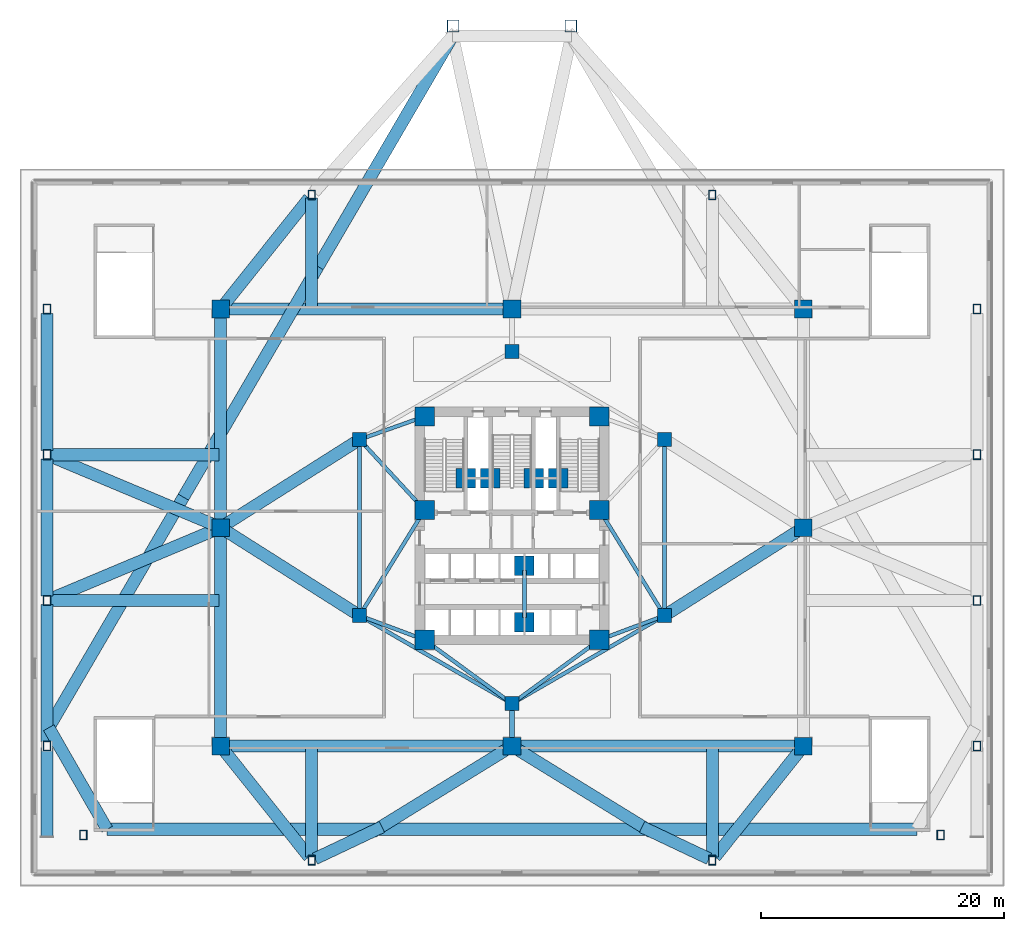
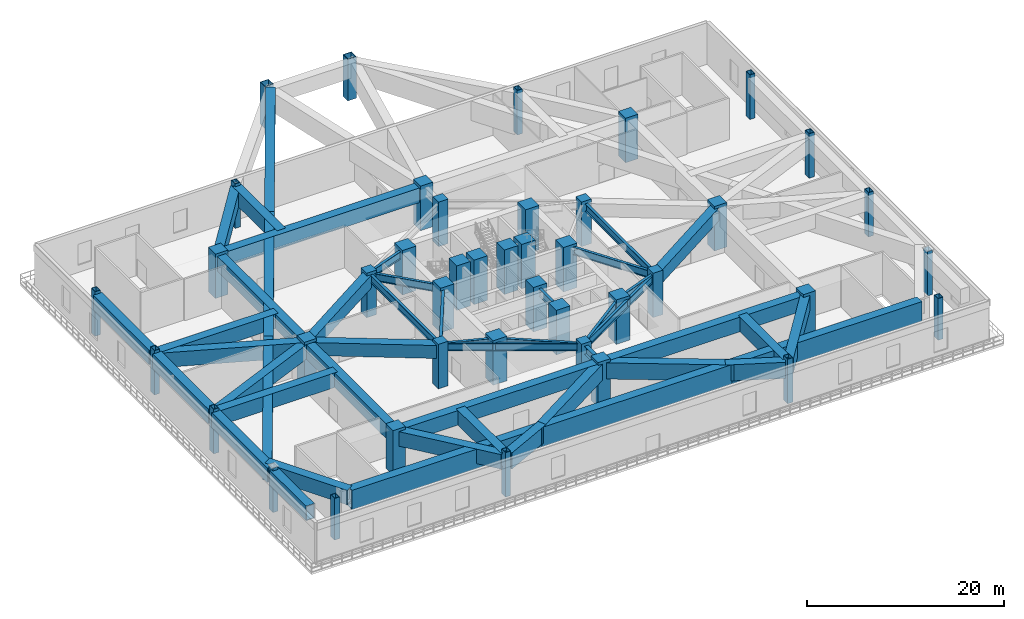
# One storey, part 1 of 15: 47 beams, 42 columns.
"""IFC4 building model written with IfcOpenShell, lengths in metres."""

from ifc_helpers import new_model, si_unit, direction, frame, origin, origin_2d, place, context, subcontext, project, spatial, rectangle, hollow_rectangle, i_section, extrude, material, material_profile, profile_set, type_object, element, save


model = new_model("IFC4")

# Units and contexts
model_context = context("Model", 3, precision=1e-05, world=origin(), true_north=direction((0.0, 1.0)))
body_context = subcontext(model_context, "Body", "Model", "MODEL_VIEW")
ifc_project = project(units=[si_unit("LENGTHUNIT", "METRE"), si_unit("AREAUNIT", "SQUARE_METRE"), si_unit("VOLUMEUNIT", "CUBIC_METRE"), si_unit("PLANEANGLEUNIT", "RADIAN"), si_unit("MASSUNIT", "GRAM", prefix="KILO")], contexts=[model_context])

# Site, building, storey
site_placement = place(None, origin())
site = spatial("IfcSite", under=ifc_project, at=site_placement, CompositionType="ELEMENT")
building_placement = place(site_placement, origin())
building = spatial("IfcBuilding", under=site, at=building_placement, Name="Apsidion Concourse Tower", CompositionType="ELEMENT")
storey_placement = place(building_placement, frame((0.0, 0.0, 23.5)))
storey = spatial("IfcBuildingStorey", under=building, at=storey_placement, Name="L04", CompositionType="ELEMENT", Elevation=23.5)

# Columns
ifc_material_1 = material(Name="Structural steel ASTM A572 Grade 50", Category="steel")
ifc_material_profile_1 = material_profile(ifc_material_1, hollow_rectangle(XDim=1.0, YDim=1.0, WallThickness=0.06005859375, at=origin_2d()), Name="BOX1000X1000X60")
ifc_profile_set_1 = profile_set([ifc_material_profile_1], Name="Structural steel ASTM A572 Grade 50")
column_type_1 = type_object("IfcColumnType", Name="COL-BOX-1000", PredefinedType="COLUMN", material=ifc_profile_set_1)
for number, where, z_axis, x_axis, name in (
    (1, (-4.845703125, 41.306884765625, 0.0), (0.0, 0.0, 1.0), (1.0, 0.0, 0.0), "L04 North Forecourt Prow Colonnade Column PRW-W"),
    (2, (4.845703125, 41.306884765625, 0.0), (0.0, 0.0, 1.0), (1.0, 0.0, 0.0), "L04 North Forecourt Prow Colonnade Column PRW-E"),
):
    element("IfcColumn", number, at=place(storey_placement, frame(where, z_axis=z_axis, x_axis=x_axis)), inside=storey, type_object=column_type_1, Name=name, PredefinedType="COLUMN", context=body_context, shape_type="SweptSolid", body=[
        extrude(hollow_rectangle(XDim=1.0, YDim=1.0, WallThickness=0.06005859375, at=origin_2d()), origin(), (0.0, 0.0, 1.0), 5.14990234375),
    ])
ifc_material_profile_2 = material_profile(ifc_material_1, hollow_rectangle(XDim=0.60009765625, YDim=0.800048828125, WallThickness=0.050048828125, at=origin_2d()), Name="BOX800X600X50")
ifc_profile_set_2 = profile_set([ifc_material_profile_2], Name="Structural steel ASTM A572 Grade 50")
column_type_2 = type_object("IfcColumnType", Name="COL-BOX-800", PredefinedType="COLUMN", material=ifc_profile_set_2)
for number, where, z_axis, x_axis, name in (
    (3, (-38.300048828125, -18.0, 0.0), (0.0, 0.0, 1.0), (1.0, 0.0, 0.0), "L04 Podium Perimeter Column PC01"),
    (4, (-38.300048828125, -6.0, 0.0), (0.0, 0.0, 1.0), (1.0, 0.0, 0.0), "L04 Podium Perimeter Column PC02"),
    (5, (-38.300048828125, 6.0, 0.0), (0.0, 0.0, 1.0), (1.0, 0.0, 0.0), "L04 Podium Perimeter Column PC03"),
    (6, (-38.300048828125, 18.0, 0.0), (0.0, 0.0, 1.0), (1.0, 0.0, 0.0), "L04 Podium Perimeter Column PC04"),
    (7, (38.300048828125, -18.0, 0.0), (0.0, 0.0, 1.0), (1.0, 0.0, 0.0), "L04 Podium Perimeter Column PC05"),
    (8, (38.300048828125, -6.0, 0.0), (0.0, 0.0, 1.0), (1.0, 0.0, 0.0), "L04 Podium Perimeter Column PC06"),
    (9, (38.300048828125, 6.0, 0.0), (0.0, 0.0, 1.0), (1.0, 0.0, 0.0), "L04 Podium Perimeter Column PC07"),
    (10, (38.300048828125, 18.0, 0.0), (0.0, 0.0, 1.0), (1.0, 0.0, 0.0), "L04 Podium Perimeter Column PC08"),
    (11, (-16.5, -27.39990234375, 0.0), (0.0, 0.0, 1.0), (1.0, 0.0, 0.0), "L04 Podium Perimeter Column PC09"),
    (12, (16.5, -27.39990234375, 0.0), (0.0, 0.0, 1.0), (1.0, 0.0, 0.0), "L04 Podium Perimeter Column PC10"),
    (13, (-16.5, 27.39990234375, 0.0), (0.0, 0.0, 1.0), (1.0, 0.0, 0.0), "L04 Podium Perimeter Column PC11"),
    (14, (16.5, 27.39990234375, 0.0), (0.0, 0.0, 1.0), (1.0, 0.0, 0.0), "L04 Podium Perimeter Column PC12"),
):
    element("IfcColumn", number, at=place(storey_placement, frame(where, z_axis=z_axis, x_axis=x_axis)), inside=storey, type_object=column_type_2, Name=name, PredefinedType="COLUMN", context=body_context, shape_type="SweptSolid", body=[
        extrude(hollow_rectangle(XDim=0.60009765625, YDim=0.800048828125, WallThickness=0.050048828125, at=origin_2d()), origin(), (0.0, 0.0, 1.0), 5.5),
    ])
for number, where, z_axis, x_axis, name in (
    (15, (-35.300048828125, -25.320068359375, 0.0), (0.0, 0.0, 1.0), (1.0, 0.0, 0.0), "L04 Podium South Corner Column SWCR-W"),
    (16, (35.300048828125, -25.320068359375, 0.0), (0.0, 0.0, 1.0), (1.0, 0.0, 0.0), "L04 Podium South Corner Column SWCR-E"),
):
    element("IfcColumn", number, at=place(storey_placement, frame(where, z_axis=z_axis, x_axis=x_axis)), inside=storey, type_object=column_type_2, Name=name, PredefinedType="COLUMN", context=body_context, shape_type="SweptSolid", body=[
        extrude(hollow_rectangle(XDim=0.60009765625, YDim=0.800048828125, WallThickness=0.050048828125, at=origin_2d()), origin(), (0.0, 0.0, 1.0), 5.14990234375),
    ])
ifc_material_2 = material(Name="Concrete C50/60", Category="concrete")
ifc_material_profile_3 = material_profile(ifc_material_2, rectangle(XDim=1.14990234375, YDim=1.14990234375, at=origin_2d()), Name="RC 1150x1150")
ifc_profile_set_3 = profile_set([ifc_material_profile_3], Name="Concrete C50/60")
column_type_3 = type_object("IfcColumnType", Name="COL-RC-1150", PredefinedType="COLUMN", material=ifc_profile_set_3)
for number, where, z_axis, x_axis, name in (
    (17, (-12.56005859375, -7.25, 0.0), (0.0, 0.0, 1.0), (1.0, 0.0, 0.0), "L04 Interior Spine Column IC1"),
    (18, (12.56005859375, -7.25, 0.0), (0.0, 0.0, 1.0), (1.0, 0.0, 0.0), "L04 Interior Spine Column IC2"),
    (19, (12.56005859375, 7.25, 0.0), (0.0, 0.0, 1.0), (1.0, 0.0, 0.0), "L04 Interior Spine Column IC3"),
    (20, (0.0, 14.5, 0.0), (0.0, 0.0, 1.0), (1.0, 0.0, 0.0), "L04 Interior Spine Column IC4"),
    (21, (-12.56005859375, 7.25, 0.0), (0.0, 0.0, 1.0), (1.0, 0.0, 0.0), "L04 Interior Spine Column IC5"),
    (22, (0.0, -14.5, 0.0), (0.0, 0.0, 1.0), (1.0, 0.0, 0.0), "L04 Interior Spine Column IC6"),
):
    element("IfcColumn", number, at=place(storey_placement, frame(where, z_axis=z_axis, x_axis=x_axis)), inside=storey, type_object=column_type_3, Name=name, PredefinedType="COLUMN", context=body_context, shape_type="SweptSolid", body=[
        extrude(rectangle(XDim=1.14990234375, YDim=1.14990234375, at=origin_2d()), origin(), (0.0, 0.0, 1.0), 5.5),
    ])
ifc_material_3 = material(Name="Concrete C60/75", Category="concrete")
ifc_material_profile_4 = material_profile(ifc_material_3, rectangle(XDim=1.449951171875, YDim=1.449951171875, at=origin_2d()), Name="RC 1450x1450")
ifc_profile_set_4 = profile_set([ifc_material_profile_4], Name="Concrete C60/75")
column_type_4 = type_object("IfcColumnType", Name="COL-RC-1450", PredefinedType="COLUMN", material=ifc_profile_set_4)
for number, where, z_axis, x_axis, name in (
    (23, (-24.0, -18.0, 0.0), (0.0, 0.0, 1.0), (1.0, 0.0, 0.0), "L04 Podium Mega-Column MC1"),
    (24, (24.0, -18.0, 0.0), (0.0, 0.0, 1.0), (1.0, 0.0, 0.0), "L04 Podium Mega-Column MC2"),
    (25, (-24.0, 0.0, 0.0), (0.0, 0.0, 1.0), (1.0, 0.0, 0.0), "L04 Podium Mega-Column MC3"),
    (26, (24.0, 0.0, 0.0), (0.0, 0.0, 1.0), (1.0, 0.0, 0.0), "L04 Podium Mega-Column MC4"),
    (27, (-24.0, 18.0, 0.0), (0.0, 0.0, 1.0), (1.0, 0.0, 0.0), "L04 Podium Mega-Column MC5"),
    (28, (24.0, 18.0, 0.0), (0.0, 0.0, 1.0), (1.0, 0.0, 0.0), "L04 Podium Mega-Column MC6"),
    (29, (0.0, -18.0, 0.0), (0.0, 0.0, 1.0), (1.0, 0.0, 0.0), "L04 Podium Mega-Column MC7"),
    (30, (0.0, 18.0, 0.0), (0.0, 0.0, 1.0), (1.0, 0.0, 0.0), "L04 Podium Mega-Column MC8"),
):
    element("IfcColumn", number, at=place(storey_placement, frame(where, z_axis=z_axis, x_axis=x_axis)), inside=storey, type_object=column_type_4, Name=name, PredefinedType="COLUMN", context=body_context, shape_type="SweptSolid", body=[
        extrude(rectangle(XDim=1.449951171875, YDim=1.449951171875, at=origin_2d()), origin(), (0.0, 0.0, 1.0), 5.5),
    ])
ifc_material_profile_5 = material_profile(ifc_material_3, rectangle(XDim=1.60009765625, YDim=1.60009765625, at=origin_2d()), Name="RC 1600x1600")
ifc_profile_set_5 = profile_set([ifc_material_profile_5], Name="Concrete C60/75")
column_type_5 = type_object("IfcColumnType", Name="COL-RC-1600", PredefinedType="COLUMN", material=ifc_profile_set_5)
for number, where, z_axis, x_axis, name in (
    (31, (-7.199951171875, -9.25, 0.0), (0.0, 0.0, 1.0), (1.0, 0.0, 0.0), "L04 Core Super-Column SC1"),
    (32, (7.199951171875, -9.25, 0.0), (0.0, 0.0, 1.0), (1.0, 0.0, 0.0), "L04 Core Super-Column SC2"),
    (33, (7.199951171875, 1.449951171875, 0.0), (0.0, 0.0, 1.0), (1.0, 0.0, 0.0), "L04 Core Super-Column SC3"),
    (34, (7.199951171875, 9.14990234375, 0.0), (0.0, 0.0, 1.0), (1.0, 0.0, 0.0), "L04 Core Super-Column SC4"),
    (35, (-7.199951171875, 9.14990234375, 0.0), (0.0, 0.0, 1.0), (1.0, 0.0, 0.0), "L04 Core Super-Column SC5"),
    (36, (-7.199951171875, 1.449951171875, 0.0), (0.0, 0.0, 1.0), (1.0, 0.0, 0.0), "L04 Core Super-Column SC6"),
    (37, (-3.800048828125, 4.050048828125, 0.0), (0.0, 0.0, 1.0), (1.0, 0.0, 0.0), "L04 Core Super-Column CC1"),
    (38, (3.800048828125, 4.050048828125, 0.0), (0.0, 0.0, 1.0), (1.0, 0.0, 0.0), "L04 Core Super-Column CC2"),
    (39, (-1.77490234375, 4.050048828125, 0.0), (0.0, 0.0, 1.0), (1.0, 0.0, 0.0), "L04 Core Super-Column CC3"),
    (40, (1.77490234375, 4.050048828125, 0.0), (0.0, 0.0, 1.0), (1.0, 0.0, 0.0), "L04 Core Super-Column CC4"),
    (41, (1.02490234375, -3.14990234375, 0.0), (0.0, 0.0, 1.0), (1.0, 0.0, 0.0), "L04 Core Super-Column CC5"),
    (42, (1.02490234375, -7.800048828125, 0.0), (0.0, 0.0, 1.0), (1.0, 0.0, 0.0), "L04 Core Super-Column CC6"),
):
    element("IfcColumn", number, at=place(storey_placement, frame(where, z_axis=z_axis, x_axis=x_axis)), inside=storey, type_object=column_type_5, Name=name, PredefinedType="COLUMN", context=body_context, shape_type="SweptSolid", body=[
        extrude(rectangle(XDim=1.60009765625, YDim=1.60009765625, at=origin_2d()), origin(), (0.0, 0.0, 1.0), 5.5),
    ])

# Beams
ifc_material_4 = material(Name="Structural steel ASTM A992 Grade 50", Category="steel")
ifc_material_profile_6 = material_profile(ifc_material_4, i_section(OverallWidth=0.31005859375, OverallDepth=0.931884765625, WebThickness=0.02099609375, FlangeThickness=0.034423828125, at=origin_2d()), Name="W36X210")
ifc_profile_set_6 = profile_set([ifc_material_profile_6], Name="Structural steel ASTM A992 Grade 50")
beam_type_1 = type_object("IfcBeamType", Name="BM-G-W36", PredefinedType="USERDEFINED", material=ifc_profile_set_6)
beam_1_placement = place(storey_placement, frame((-12.185302734375, -7.389892578125, 4.68408203125), z_axis=(0.936913021145, -0.349562570664, 0.0), x_axis=(0.349562570664, 0.936913021145, 0.0)))
element("IfcBeam", 43, at=beam_1_placement, inside=storey, type_object=beam_type_1, Name="L04 Core Coupling Girder IC1-SC1", ObjectType="GIRDER", PredefinedType="USERDEFINED", context=body_context, shape_type="SweptSolid", body=[
    extrude(i_section(OverallWidth=0.31005859375, OverallDepth=0.931884765625, WebThickness=0.02099609375, FlangeThickness=0.034423828125, at=origin_2d()), origin(), (0.0, 0.0, 1.0), 4.921142578125),
])
beam_2_placement = place(storey_placement, frame((-12.35009765625, -6.909423828125, 4.68408203125), z_axis=(0.524524009763, 0.851395656074, 0.0), x_axis=(-0.851395656074, 0.524524009763, 0.0)))
element("IfcBeam", 44, at=beam_2_placement, inside=storey, type_object=beam_type_1, Name="L04 Core Coupling Girder IC1-SC6", ObjectType="GIRDER", PredefinedType="USERDEFINED", context=body_context, shape_type="SweptSolid", body=[
    extrude(i_section(OverallWidth=0.31005859375, OverallDepth=0.931884765625, WebThickness=0.02099609375, FlangeThickness=0.034423828125, at=origin_2d()), origin(), (0.0, 0.0, 1.0), 9.41845703125),
])
beam_3_placement = place(storey_placement, frame((12.185302734375, -7.389892578125, 4.68408203125), z_axis=(-0.936913021145, -0.349562570664, 0.0), x_axis=(0.349562570664, -0.936913021145, 0.0)))
element("IfcBeam", 45, at=beam_3_placement, inside=storey, type_object=beam_type_1, Name="L04 Core Coupling Girder IC2-SC2", ObjectType="GIRDER", PredefinedType="USERDEFINED", context=body_context, shape_type="SweptSolid", body=[
    extrude(i_section(OverallWidth=0.31005859375, OverallDepth=0.931884765625, WebThickness=0.02099609375, FlangeThickness=0.034423828125, at=origin_2d()), origin(), (0.0, 0.0, 1.0), 4.921142578125),
])
beam_4_placement = place(storey_placement, frame((12.35009765625, -6.909423828125, 4.68408203125), z_axis=(-0.524524009763, 0.851395656074, 0.0), x_axis=(-0.851395656074, -0.524524009763, 0.0)))
element("IfcBeam", 46, at=beam_4_placement, inside=storey, type_object=beam_type_1, Name="L04 Core Coupling Girder IC2-SC3", ObjectType="GIRDER", PredefinedType="USERDEFINED", context=body_context, shape_type="SweptSolid", body=[
    extrude(i_section(OverallWidth=0.31005859375, OverallDepth=0.931884765625, WebThickness=0.02099609375, FlangeThickness=0.034423828125, at=origin_2d()), origin(), (0.0, 0.0, 1.0), 9.41845703125),
])
beam_5_placement = place(storey_placement, frame((-12.28857421875, 6.956298828125, 4.68408203125), z_axis=(0.678712876106, -0.73440372535, 0.0), x_axis=(0.73440372535, 0.678712876106, 0.0)))
element("IfcBeam", 47, at=beam_5_placement, inside=storey, type_object=beam_type_1, Name="L04 Core Coupling Girder IC5-SC6", ObjectType="GIRDER", PredefinedType="USERDEFINED", context=body_context, shape_type="SweptSolid", body=[
    extrude(i_section(OverallWidth=0.31005859375, OverallDepth=0.931884765625, WebThickness=0.02099609375, FlangeThickness=0.034423828125, at=origin_2d()), origin(), (0.0, 0.0, 1.0), 7.097412109375),
])
beam_6_placement = place(storey_placement, frame((-12.18310546875, 7.383544921875, 4.68408203125), z_axis=(0.942533844539, 0.334110688094, 0.0), x_axis=(-0.334110688094, 0.942533844539, 0.0)))
element("IfcBeam", 48, at=beam_6_placement, inside=storey, type_object=beam_type_1, Name="L04 Core Coupling Girder IC5-SC5", ObjectType="GIRDER", PredefinedType="USERDEFINED", context=body_context, shape_type="SweptSolid", body=[
    extrude(i_section(OverallWidth=0.31005859375, OverallDepth=0.931884765625, WebThickness=0.02099609375, FlangeThickness=0.034423828125, at=origin_2d()), origin(), (0.0, 0.0, 1.0), 4.886962890625),
])
for number, where, z_axis, x_axis, name in (
    (49, (-0.3232421875, -14.264404296875, 4.68408203125), (-0.807993498909, 0.589191399905, 0.0), (-0.589191399905, -0.807993498909, 0.0), "L04 Core Coupling Girder IC6-SC1"),
    (50, (0.3232421875, -14.264404296875, 4.68408203125), (0.807993498909, 0.589191399905, 0.0), (-0.589191399905, 0.807993498909, 0.0), "L04 Core Coupling Girder IC6-SC2"),
):
    element("IfcBeam", number, at=place(storey_placement, frame(where, z_axis=z_axis, x_axis=x_axis)), inside=storey, type_object=beam_type_1, Name=name, ObjectType="GIRDER", PredefinedType="USERDEFINED", context=body_context, shape_type="SweptSolid", body=[
        extrude(i_section(OverallWidth=0.31005859375, OverallDepth=0.931884765625, WebThickness=0.02099609375, FlangeThickness=0.034423828125, at=origin_2d()), origin(), (0.0, 0.0, 1.0), 8.11083984375),
    ])
for number, where, z_axis, x_axis, name in (
    (51, (-12.56005859375, -6.85009765625, 4.68408203125), (0.0, 1.0, 0.0), (-1.0, 0.0, 0.0), "L04 Core Coupling Girder IC1-IC5"),
    (52, (12.56005859375, 6.85009765625, 4.68408203125), (0.0, -1.0, 0.0), (1.0, 0.0, 0.0), "L04 Core Coupling Girder IC3-IC2"),
):
    element("IfcBeam", number, at=place(storey_placement, frame(where, z_axis=z_axis, x_axis=x_axis)), inside=storey, type_object=beam_type_1, Name=name, ObjectType="GIRDER", PredefinedType="USERDEFINED", context=body_context, shape_type="SweptSolid", body=[
        extrude(i_section(OverallWidth=0.31005859375, OverallDepth=0.931884765625, WebThickness=0.02099609375, FlangeThickness=0.034423828125, at=origin_2d()), origin(), (0.0, 0.0, 1.0), 13.7001953125),
    ])
for number, where, z_axis, x_axis, name in (
    (53, (12.213623046875, -7.449951171875, 4.68408203125), (-0.866070471464, -0.499921932364, 0.0), (0.499921932364, -0.866070471464, 0.0), "L04 Core Coupling Girder IC2-IC6"),
    (54, (-0.346435546875, -14.300048828125, 4.68408203125), (-0.866070471464, 0.499921932364, 0.0), (-0.499921932364, -0.866070471464, 0.0), "L04 Core Coupling Girder IC6-IC1"),
):
    element("IfcBeam", number, at=place(storey_placement, frame(where, z_axis=z_axis, x_axis=x_axis)), inside=storey, type_object=beam_type_1, Name=name, ObjectType="GIRDER", PredefinedType="USERDEFINED", context=body_context, shape_type="SweptSolid", body=[
        extrude(i_section(OverallWidth=0.31005859375, OverallDepth=0.931884765625, WebThickness=0.02099609375, FlangeThickness=0.034423828125, at=origin_2d()), origin(), (0.0, 0.0, 1.0), 13.702392578125),
    ])
beam_7_placement = place(storey_placement, frame((1.02490234375, -3.550048828125, 4.68408203125), z_axis=(0.0, -1.0, 0.0), x_axis=(1.0, 0.0, 0.0)))
element("IfcBeam", 55, at=beam_7_placement, inside=storey, type_object=beam_type_1, Name="L04 Core Coupling Girder CC5-CC6", ObjectType="GIRDER", PredefinedType="USERDEFINED", context=body_context, shape_type="SweptSolid", body=[
    extrude(i_section(OverallWidth=0.31005859375, OverallDepth=0.931884765625, WebThickness=0.02099609375, FlangeThickness=0.034423828125, at=origin_2d()), origin(), (0.0, 0.0, 1.0), 3.849853515625),
])
ifc_material_profile_7 = material_profile(ifc_material_4, i_section(OverallWidth=0.408935546875, OverallDepth=1.041015625, WebThickness=0.031005859375, FlangeThickness=0.055908203125, at=origin_2d()), Name="W40X397")
ifc_profile_set_7 = profile_set([ifc_material_profile_7], Name="Structural steel ASTM A992 Grade 50")
beam_type_2 = type_object("IfcBeamType", Name="BM-G-W40H", PredefinedType="USERDEFINED", material=ifc_profile_set_7)
beam_8_placement = place(storey_placement, frame((0.0, -17.64990234375, 4.62939453125), z_axis=(0.0, 1.0, 0.0), x_axis=(-1.0, 0.0, 0.0)))
element("IfcBeam", 56, at=beam_8_placement, inside=storey, type_object=beam_type_2, Name="L04 Podium Girder MC7-IC6", ObjectType="GIRDER", PredefinedType="USERDEFINED", context=body_context, shape_type="SweptSolid", body=[
    extrude(i_section(OverallWidth=0.408935546875, OverallDepth=1.041015625, WebThickness=0.031005859375, FlangeThickness=0.055908203125, at=origin_2d()), origin(), (0.0, 0.0, 1.0), 2.7998046875),
])
ifc_material_profile_8 = material_profile(ifc_material_1, hollow_rectangle(XDim=1.0, YDim=1.60009765625, WallThickness=0.074951171875, at=origin_2d()), Name="BOX1600X1000X75")
ifc_profile_set_8 = profile_set([ifc_material_profile_8], Name="Structural steel ASTM A572 Grade 50")
beam_type_3 = type_object("IfcBeamType", Name="BM-TR-1600", PredefinedType="USERDEFINED", material=ifc_profile_set_8)
for number, where, z_axis, x_axis, name in (
    (57, (-23.704345703125, -0.1875, 4.35009765625), (0.844671254714, -0.535285411215, 0.0), (0.535285411215, 0.844671254714, 0.0), "L04 Podium Girder MC3-IC1"),
    (58, (-23.704345703125, 0.1875, 4.35009765625), (0.844671254714, 0.535285411215, 0.0), (-0.535285411215, 0.844671254714, 0.0), "L04 Podium Girder MC3-IC5"),
    (59, (23.704345703125, -0.1875, 4.35009765625), (-0.844671254714, -0.535285411215, 0.0), (0.535285411215, -0.844671254714, 0.0), "L04 Podium Girder MC4-IC2"),
):
    element("IfcBeam", number, at=place(storey_placement, frame(where, z_axis=z_axis, x_axis=x_axis)), inside=storey, type_object=beam_type_3, Name=name, ObjectType="GIRDER", PredefinedType="USERDEFINED", context=body_context, shape_type="SweptSolid", body=[
        extrude(hollow_rectangle(XDim=1.0, YDim=1.60009765625, WallThickness=0.074951171875, at=origin_2d()), origin(), (0.0, 0.0, 1.0), 12.843505859375),
    ])
ifc_material_profile_9 = material_profile(ifc_material_1, hollow_rectangle(XDim=1.0, YDim=1.800048828125, WallThickness=0.080078125, at=origin_2d()), Name="BOX1800X1000X80")
ifc_profile_set_9 = profile_set([ifc_material_profile_9], Name="Structural steel ASTM A572 Grade 50")
beam_type_4 = type_object("IfcBeamType", Name="BM-TR-1800", PredefinedType="USERDEFINED", material=ifc_profile_set_9)
for number, where, z_axis, x_axis, name in (
    (60, (-24.0, -17.64990234375, 4.25), (0.0, 1.0, 0.0), (-1.0, 0.0, 0.0), "L04 Podium Transfer Collector Girder MC1-MC3"),
    (61, (-24.0, 0.35009765625, 4.25), (0.0, 1.0, 0.0), (-1.0, 0.0, 0.0), "L04 Podium Transfer Collector Girder MC3-MC5"),
):
    element("IfcBeam", number, at=place(storey_placement, frame(where, z_axis=z_axis, x_axis=x_axis)), inside=storey, type_object=beam_type_4, Name=name, ObjectType="GIRDER", PredefinedType="USERDEFINED", context=body_context, shape_type="SweptSolid", body=[
        extrude(hollow_rectangle(XDim=1.0, YDim=1.800048828125, WallThickness=0.080078125, at=origin_2d()), origin(), (0.0, 0.0, 1.0), 17.2998046875),
    ])
for number, where, z_axis, x_axis, name in (
    (62, (-23.64990234375, -18.0, 4.25), (1.0, 0.0, 0.0), (0.0, 1.0, 0.0), "L04 Podium Transfer Collector Girder MC1-MC7"),
    (63, (0.35009765625, -18.0, 4.25), (1.0, 0.0, 0.0), (0.0, 1.0, 0.0), "L04 Podium Transfer Collector Girder MC7-MC2"),
    (64, (-23.64990234375, 18.0, 4.25), (1.0, 0.0, 0.0), (0.0, 1.0, 0.0), "L04 Podium Transfer Collector Girder MC5-MC8"),
):
    element("IfcBeam", number, at=place(storey_placement, frame(where, z_axis=z_axis, x_axis=x_axis)), inside=storey, type_object=beam_type_4, Name=name, ObjectType="GIRDER", PredefinedType="USERDEFINED", context=body_context, shape_type="SweptSolid", body=[
        extrude(hollow_rectangle(XDim=1.0, YDim=1.800048828125, WallThickness=0.080078125, at=origin_2d()), origin(), (0.0, 0.0, 1.0), 23.2998046875),
    ])
beam_9_placement = place(storey_placement, frame((-38.050048828125, -6.0, 4.25), z_axis=(1.0, 0.0, 0.0), x_axis=(0.0, 1.0, 0.0)))
element("IfcBeam", 65, at=beam_9_placement, inside=storey, type_object=beam_type_4, Name="L04 Podium Radial Frame Girder PC02", ObjectType="GIRDER", PredefinedType="USERDEFINED", context=body_context, shape_type="SweptSolid", body=[
    extrude(hollow_rectangle(XDim=1.0, YDim=1.800048828125, WallThickness=0.080078125, at=origin_2d()), origin(), (0.0, 0.0, 1.0), 13.900146484375),
])
beam_10_placement = place(storey_placement, frame((-37.977294921875, -5.864501953125, 4.25), z_axis=(0.92212437548, 0.386893572118, 0.0), x_axis=(-0.386893572118, 0.92212437548, 0.0)))
element("IfcBeam", 66, at=beam_10_placement, inside=storey, type_object=beam_type_4, Name="L04 Podium Diagonal Frame Tie PC02", ObjectType="GIRDER", PredefinedType="USERDEFINED", context=body_context, shape_type="SweptSolid", body=[
    extrude(hollow_rectangle(XDim=1.0, YDim=1.800048828125, WallThickness=0.080078125, at=origin_2d()), origin(), (0.0, 0.0, 1.0), 14.8076171875),
])
beam_11_placement = place(storey_placement, frame((-38.050048828125, 6.0, 4.25), z_axis=(1.0, 0.0, 0.0), x_axis=(0.0, 1.0, 0.0)))
element("IfcBeam", 67, at=beam_11_placement, inside=storey, type_object=beam_type_4, Name="L04 Podium Radial Frame Girder PC03", ObjectType="GIRDER", PredefinedType="USERDEFINED", context=body_context, shape_type="SweptSolid", body=[
    extrude(hollow_rectangle(XDim=1.0, YDim=1.800048828125, WallThickness=0.080078125, at=origin_2d()), origin(), (0.0, 0.0, 1.0), 13.900146484375),
])
beam_12_placement = place(storey_placement, frame((-37.977294921875, 5.864501953125, 4.25), z_axis=(0.92212437548, -0.386893572118, 0.0), x_axis=(0.386893572118, 0.92212437548, 0.0)))
element("IfcBeam", 68, at=beam_12_placement, inside=storey, type_object=beam_type_4, Name="L04 Podium Diagonal Frame Tie PC03", ObjectType="GIRDER", PredefinedType="USERDEFINED", context=body_context, shape_type="SweptSolid", body=[
    extrude(hollow_rectangle(XDim=1.0, YDim=1.800048828125, WallThickness=0.080078125, at=origin_2d()), origin(), (0.0, 0.0, 1.0), 14.8076171875),
])
beam_13_placement = place(storey_placement, frame((-16.5, -27.14990234375, 4.25), z_axis=(0.0, 1.0, 0.0), x_axis=(-1.0, 0.0, 0.0)))
element("IfcBeam", 69, at=beam_13_placement, inside=storey, type_object=beam_type_4, Name="L04 Podium Radial Frame Girder PC09", ObjectType="GIRDER", PredefinedType="USERDEFINED", context=body_context, shape_type="SweptSolid", body=[
    extrude(hollow_rectangle(XDim=1.0, YDim=1.800048828125, WallThickness=0.080078125, at=origin_2d()), origin(), (0.0, 0.0, 1.0), 9.0),
])
beam_14_placement = place(storey_placement, frame((-16.71826171875, -27.12646484375, 4.25), z_axis=(-0.623685030382, 0.781675753031, 0.0), x_axis=(-0.781675753031, -0.623685030382, 0.0)))
element("IfcBeam", 70, at=beam_14_placement, inside=storey, type_object=beam_type_4, Name="L04 Podium Diagonal Frame Tie PC09", ObjectType="GIRDER", PredefinedType="USERDEFINED", context=body_context, shape_type="SweptSolid", body=[
    extrude(hollow_rectangle(XDim=1.0, YDim=1.800048828125, WallThickness=0.080078125, at=origin_2d()), origin(), (0.0, 0.0, 1.0), 11.325439453125),
])
beam_15_placement = place(storey_placement, frame((16.5, -27.14990234375, 4.25), z_axis=(0.0, 1.0, 0.0), x_axis=(-1.0, 0.0, 0.0)))
element("IfcBeam", 71, at=beam_15_placement, inside=storey, type_object=beam_type_4, Name="L04 Podium Radial Frame Girder PC10", ObjectType="GIRDER", PredefinedType="USERDEFINED", context=body_context, shape_type="SweptSolid", body=[
    extrude(hollow_rectangle(XDim=1.0, YDim=1.800048828125, WallThickness=0.080078125, at=origin_2d()), origin(), (0.0, 0.0, 1.0), 9.0),
])
beam_16_placement = place(storey_placement, frame((16.71826171875, -27.12646484375, 4.25), z_axis=(0.623685030382, 0.781675753031, 0.0), x_axis=(-0.781675753031, 0.623685030382, 0.0)))
element("IfcBeam", 72, at=beam_16_placement, inside=storey, type_object=beam_type_4, Name="L04 Podium Diagonal Frame Tie PC10", ObjectType="GIRDER", PredefinedType="USERDEFINED", context=body_context, shape_type="SweptSolid", body=[
    extrude(hollow_rectangle(XDim=1.0, YDim=1.800048828125, WallThickness=0.080078125, at=origin_2d()), origin(), (0.0, 0.0, 1.0), 11.325439453125),
])
beam_17_placement = place(storey_placement, frame((-16.5, 27.14990234375, 4.25), z_axis=(0.0, -1.0, 0.0), x_axis=(1.0, 0.0, 0.0)))
element("IfcBeam", 73, at=beam_17_placement, inside=storey, type_object=beam_type_4, Name="L04 Podium Radial Frame Girder PC11", ObjectType="GIRDER", PredefinedType="USERDEFINED", context=body_context, shape_type="SweptSolid", body=[
    extrude(hollow_rectangle(XDim=1.0, YDim=1.800048828125, WallThickness=0.080078125, at=origin_2d()), origin(), (0.0, 0.0, 1.0), 9.0),
])
beam_18_placement = place(storey_placement, frame((-16.71826171875, 27.12646484375, 4.25), z_axis=(-0.623685030382, -0.781675753031, 0.0), x_axis=(0.781675753031, -0.623685030382, 0.0)))
element("IfcBeam", 74, at=beam_18_placement, inside=storey, type_object=beam_type_4, Name="L04 Podium Diagonal Frame Tie PC11", ObjectType="GIRDER", PredefinedType="USERDEFINED", context=body_context, shape_type="SweptSolid", body=[
    extrude(hollow_rectangle(XDim=1.0, YDim=1.800048828125, WallThickness=0.080078125, at=origin_2d()), origin(), (0.0, 0.0, 1.0), 11.325439453125),
])
for number, where, z_axis, x_axis, name in (
    (75, (-38.300048828125, -17.64990234375, 4.25), (0.0, 1.0, 0.0), (-1.0, 0.0, 0.0), "L04 Podium Spandrel Girder PC01-PC02"),
    (76, (-38.300048828125, -5.64990234375, 4.25), (0.0, 1.0, 0.0), (-1.0, 0.0, 0.0), "L04 Podium Spandrel Girder PC02-PC03"),
    (77, (-38.300048828125, 6.35009765625, 4.25), (0.0, 1.0, 0.0), (-1.0, 0.0, 0.0), "L04 Podium Spandrel Girder PC03-PC04"),
):
    element("IfcBeam", number, at=place(storey_placement, frame(where, z_axis=z_axis, x_axis=x_axis)), inside=storey, type_object=beam_type_4, Name=name, ObjectType="GIRDER", PredefinedType="USERDEFINED", context=body_context, shape_type="SweptSolid", body=[
        extrude(hollow_rectangle(XDim=1.0, YDim=1.800048828125, WallThickness=0.080078125, at=origin_2d()), origin(), (0.0, 0.0, 1.0), 11.2998046875),
    ])
beam_19_placement = place(storey_placement, frame((-38.300048828125, -18.10009765625, 4.25), z_axis=(0.0, -1.0, 0.0), x_axis=(1.0, 0.0, 0.0)))
element("IfcBeam", 78, at=beam_19_placement, inside=storey, type_object=beam_type_4, Name="L05 Base Corner Transfer Leg NS-W", ObjectType="GIRDER", PredefinedType="USERDEFINED", context=body_context, shape_type="SweptSolid", body=[
    extrude(hollow_rectangle(XDim=1.0, YDim=1.800048828125, WallThickness=0.080078125, at=origin_2d()), origin(), (0.0, 0.0, 1.0), 7.349853515625),
])
beam_20_placement = place(storey_placement, frame((-38.154052734375, -16.481201171875, 4.25), z_axis=(0.497835450626, -0.867271505412, 0.0), x_axis=(0.867271505412, 0.497835450626, 0.0)))
element("IfcBeam", 79, at=beam_20_placement, inside=storey, type_object=beam_type_4, Name="L05 Base Transfer Ring Girder TR-04", ObjectType="GIRDER", PredefinedType="USERDEFINED", context=body_context, shape_type="SweptSolid", body=[
    extrude(hollow_rectangle(XDim=1.0, YDim=1.800048828125, WallThickness=0.080078125, at=origin_2d()), origin(), (0.0, 0.0, 1.0), 9.649658203125),
])
ifc_material_profile_10 = material_profile(ifc_material_1, hollow_rectangle(XDim=1.0, YDim=2.0, WallThickness=0.080078125, at=origin_2d()), Name="BOX2000X1000X80")
ifc_profile_set_10 = profile_set([ifc_material_profile_10], Name="Structural steel ASTM A572 Grade 50")
beam_type_5 = type_object("IfcBeamType", Name="BM-TR-2000", PredefinedType="USERDEFINED", material=ifc_profile_set_10)
beam_21_placement = place(storey_placement, frame((-16.22900390625, -27.271484375, 4.14990234375), z_axis=(0.90375493307, 0.42805025517, 0.0), x_axis=(-0.42805025517, 0.90375493307, 0.0)))
element("IfcBeam", 80, at=beam_21_placement, inside=storey, type_object=beam_type_5, Name="L05 Base Radial Transfer Girder TRR-06A", ObjectType="GIRDER", PredefinedType="USERDEFINED", context=body_context, shape_type="SweptSolid", body=[
    extrude(hollow_rectangle(XDim=1.0, YDim=2.0, WallThickness=0.080078125, at=origin_2d()), origin(), (0.0, 0.0, 1.0), 6.106689453125),
])
beam_22_placement = place(storey_placement, frame((-0.25537109375, -18.157470703125, 4.14990234375), z_axis=(-0.851350990781, -0.524596502559, 0.0), x_axis=(0.524596502559, -0.851350990781, 0.0)))
element("IfcBeam", 81, at=beam_22_placement, inside=storey, type_object=beam_type_5, Name="L05 Base Radial Transfer Girder TRR-06B", ObjectType="GIRDER", PredefinedType="USERDEFINED", context=body_context, shape_type="SweptSolid", body=[
    extrude(hollow_rectangle(XDim=1.0, YDim=2.0, WallThickness=0.080078125, at=origin_2d()), origin(), (0.0, 0.0, 1.0), 13.207763671875),
])
beam_23_placement = place(storey_placement, frame((16.22900390625, -27.271484375, 4.14990234375), z_axis=(-0.90375493307, 0.42805025517, 0.0), x_axis=(-0.42805025517, -0.90375493307, 0.0)))
element("IfcBeam", 82, at=beam_23_placement, inside=storey, type_object=beam_type_5, Name="L05 Base Radial Transfer Girder TRR-07A", ObjectType="GIRDER", PredefinedType="USERDEFINED", context=body_context, shape_type="SweptSolid", body=[
    extrude(hollow_rectangle(XDim=1.0, YDim=2.0, WallThickness=0.080078125, at=origin_2d()), origin(), (0.0, 0.0, 1.0), 6.106689453125),
])
beam_24_placement = place(storey_placement, frame((0.25537109375, -18.157470703125, 4.14990234375), z_axis=(0.851350990781, -0.524596502559, 0.0), x_axis=(0.524596502559, 0.851350990781, 0.0)))
element("IfcBeam", 83, at=beam_24_placement, inside=storey, type_object=beam_type_5, Name="L05 Base Radial Transfer Girder TRR-07B", ObjectType="GIRDER", PredefinedType="USERDEFINED", context=body_context, shape_type="SweptSolid", body=[
    extrude(hollow_rectangle(XDim=1.0, YDim=2.0, WallThickness=0.080078125, at=origin_2d()), origin(), (0.0, 0.0, 1.0), 13.207763671875),
])
ifc_material_profile_11 = material_profile(ifc_material_1, hollow_rectangle(XDim=1.0, YDim=2.39990234375, WallThickness=0.080078125, at=origin_2d()), Name="BOX2400X1000X80")
ifc_profile_set_11 = profile_set([ifc_material_profile_11], Name="Structural steel ASTM A572 Grade 50")
beam_type_6 = type_object("IfcBeamType", Name="BM-TR-2400", PredefinedType="USERDEFINED", material=ifc_profile_set_11)
beam_25_placement = place(storey_placement, frame((-4.887451171875, 40.481201171875, 3.949951171875), z_axis=(-0.504305192923, -0.863525490296, 0.0), x_axis=(0.863525490296, -0.504305192923, 0.0)))
element("IfcBeam", 84, at=beam_25_placement, inside=storey, type_object=beam_type_6, Name="L05 Base Transfer Ring Girder TR-01", ObjectType="GIRDER", PredefinedType="USERDEFINED", context=body_context, shape_type="SweptSolid", body=[
    extrude(hollow_rectangle(XDim=1.0, YDim=2.39990234375, WallThickness=0.080078125, at=origin_2d()), origin(), (0.0, 0.0, 1.0), 21.988525390625),
])
beam_26_placement = place(storey_placement, frame((-15.976318359375, 21.49365234375, 3.949951171875), z_axis=(-0.504310028167, -0.86352266646, 0.0), x_axis=(0.86352266646, -0.504310028167, 0.0)))
element("IfcBeam", 85, at=beam_26_placement, inside=storey, type_object=beam_type_6, Name="L05 Base Transfer Ring Girder TR-02", ObjectType="GIRDER", PredefinedType="USERDEFINED", context=body_context, shape_type="SweptSolid", body=[
    extrude(hollow_rectangle(XDim=1.0, YDim=2.39990234375, WallThickness=0.080078125, at=origin_2d()), origin(), (0.0, 0.0, 1.0), 21.98828125),
])
beam_27_placement = place(storey_placement, frame((-27.065185546875, 2.50634765625, 3.949951171875), z_axis=(-0.504305192923, -0.863525490296, 0.0), x_axis=(0.863525490296, -0.504305192923, 0.0)))
element("IfcBeam", 86, at=beam_27_placement, inside=storey, type_object=beam_type_6, Name="L05 Base Transfer Ring Girder TR-03", ObjectType="GIRDER", PredefinedType="USERDEFINED", context=body_context, shape_type="SweptSolid", body=[
    extrude(hollow_rectangle(XDim=1.0, YDim=2.39990234375, WallThickness=0.080078125, at=origin_2d()), origin(), (0.0, 0.0, 1.0), 21.988525390625),
])
for number, where, z_axis, x_axis, name in (
    (87, (-33.35009765625, -24.85009765625, 3.949951171875), (1.0, 0.0, 0.0), (0.0, 1.0, 0.0), "L05 Base Transfer Ring Girder TR-05"),
    (88, (-11.11669921875, -24.85009765625, 3.949951171875), (1.0, 0.0, 0.0), (0.0, 1.0, 0.0), "L05 Base Transfer Ring Girder TR-06"),
    (89, (11.11669921875, -24.85009765625, 3.949951171875), (1.0, 0.0, 0.0), (0.0, 1.0, 0.0), "L05 Base Transfer Ring Girder TR-07"),
):
    element("IfcBeam", number, at=place(storey_placement, frame(where, z_axis=z_axis, x_axis=x_axis)), inside=storey, type_object=beam_type_6, Name=name, ObjectType="GIRDER", PredefinedType="USERDEFINED", context=body_context, shape_type="SweptSolid", body=[
        extrude(hollow_rectangle(XDim=1.0, YDim=2.39990234375, WallThickness=0.080078125, at=origin_2d()), origin(), (0.0, 0.0, 1.0), 22.2333984375),
    ])

save(model, "model.ifc")
